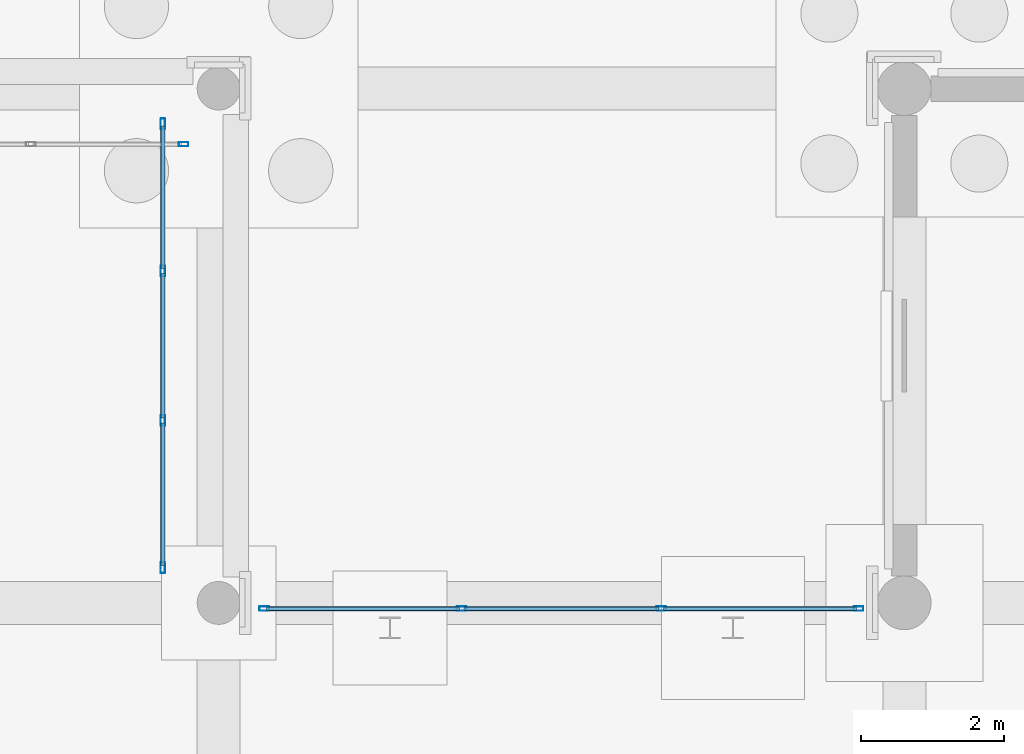
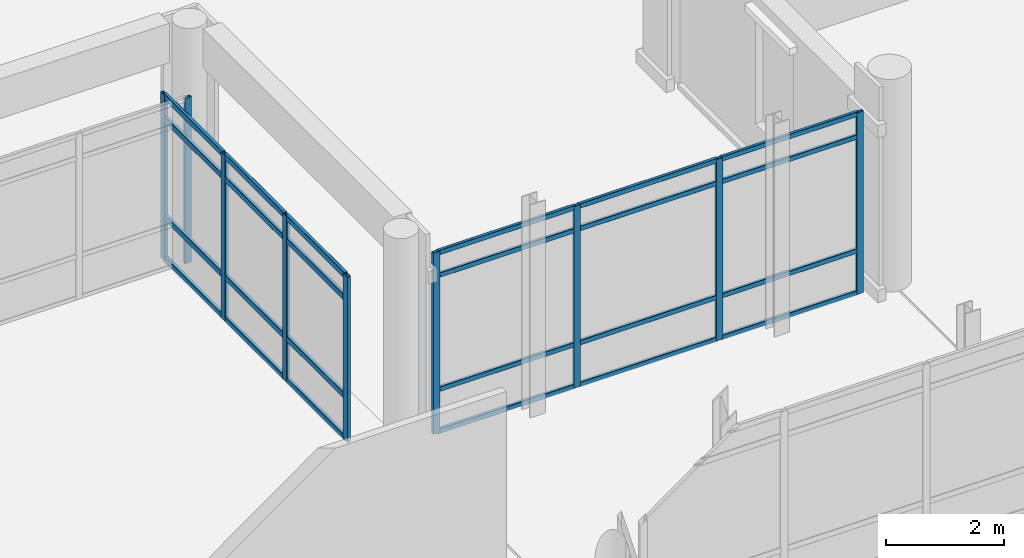
# One storey, part 83 of 196: 33 members, 3 elements without a shape of their own.
"""IFC4 building model written with IfcOpenShell, lengths in metres."""

from ifc_helpers import new_model, si_unit, direction, frame, origin, origin_2d, place, context, subcontext, project, spatial, hollow_rectangle, extrude, material, layer, layer_set, material_profile, profile_set, type_object, element, aggregate, save


model = new_model("IFC4")

# Units and contexts
model_context = context("Model", 3, precision=1e-05, world=origin(), true_north=direction((0.0, 1.0)))
body_context = subcontext(model_context, "Body", "Model", "MODEL_VIEW")
ifc_project = project(units=[si_unit("LENGTHUNIT", "METRE"), si_unit("AREAUNIT", "SQUARE_METRE"), si_unit("VOLUMEUNIT", "CUBIC_METRE"), si_unit("PLANEANGLEUNIT", "RADIAN"), si_unit("MASSUNIT", "GRAM", prefix="KILO")], contexts=[model_context])

# Site, building, storey
site_placement = place(None, origin())
site = spatial("IfcSite", under=ifc_project, at=site_placement, CompositionType="ELEMENT")
building_placement = place(site_placement, origin())
building = spatial("IfcBuilding", under=site, at=building_placement, Name="Asteropetra Specialist Clinic", CompositionType="ELEMENT")
storey_placement = place(building_placement, origin())
storey = spatial("IfcBuildingStorey", under=building, at=storey_placement, Name="L00", CompositionType="ELEMENT", Elevation=0.0)

# Curtain wall, members
ifc_material_1 = material(Name="Aluminium and low-E glass", Category="aluminium")
ifc_layer_1 = layer(ifc_material_1, 0.179931640625)
ifc_layer_set_1 = layer_set([ifc_layer_1], Name="Aluminium and low-E glass")
curtain_wall_type_1 = type_object("IfcCurtainWallType", Name="CW-SYS-04", PredefinedType="USERDEFINED", material=ifc_layer_set_1)
curtain_wall_1_placement = place(storey_placement, origin())
curtain_wall_1 = element("IfcCurtainWall", 1, at=curtain_wall_1_placement, inside=storey, type_object=curtain_wall_type_1, Name="Curtain Wall CW-116", ObjectType="UNITISED CURTAIN WALL", PredefinedType="USERDEFINED")
ifc_material_2 = material(Name="Aluminium 6063-T6", Category="aluminium")
ifc_material_profile_1 = material_profile(ifc_material_2, hollow_rectangle(XDim=0.06005859375, YDim=0.135009765625, WallThickness=0.00341796875, InnerFilletRadius=0.00341796875, OuterFilletRadius=0.007080078125, at=origin_2d()), Name="MUL 135x60x3.5")
ifc_profile_set_1 = profile_set([ifc_material_profile_1], Name="Aluminium 6063-T6")
member_type_1 = type_object("IfcMemberType", Name="CWM-135x60", PredefinedType="MULLION", material=ifc_profile_set_1)
member_1_placement = place(storey_placement, frame((104.9599609375, 55.1201171875, 0.0), z_axis=(0.0, 0.0, 1.0), x_axis=(0.0, -1.0, 0.0)))
member_1 = element("IfcMember", 2, at=member_1_placement, type_object=member_type_1, Name="CW-116 mullion 1", PredefinedType="MULLION", context=body_context, shape_type="SweptSolid", body=[
    extrude(hollow_rectangle(XDim=0.06005859375, YDim=0.135009765625, WallThickness=0.00341796875, InnerFilletRadius=0.00341796875, OuterFilletRadius=0.007080078125, at=origin_2d()), origin(), (0.0, 0.0, 1.0), 3.77001953125),
])
member_2_placement = place(storey_placement, frame((102.19677734375, 55.1201171875, 0.0), z_axis=(0.0, 0.0, 1.0), x_axis=(0.0, -1.0, 0.0)))
member_2 = element("IfcMember", 3, at=member_2_placement, type_object=member_type_1, Name="CW-116 mullion 2", PredefinedType="MULLION", context=body_context, shape_type="SweptSolid", body=[
    extrude(hollow_rectangle(XDim=0.06005859375, YDim=0.135009765625, WallThickness=0.00341796875, InnerFilletRadius=0.00341796875, OuterFilletRadius=0.007080078125, at=origin_2d()), origin(), (0.0, 0.0, 1.0), 3.77001953125),
])
member_3_placement = place(storey_placement, frame((99.4033203125, 55.1201171875, 0.0), z_axis=(0.0, 0.0, 1.0), x_axis=(0.0, -1.0, 0.0)))
member_3 = element("IfcMember", 4, at=member_3_placement, type_object=member_type_1, Name="CW-116 mullion 3", PredefinedType="MULLION", context=body_context, shape_type="SweptSolid", body=[
    extrude(hollow_rectangle(XDim=0.06005859375, YDim=0.135009765625, WallThickness=0.00341796875, InnerFilletRadius=0.00341796875, OuterFilletRadius=0.007080078125, at=origin_2d()), origin(), (0.0, 0.0, 1.0), 3.77001953125),
])
member_4_placement = place(storey_placement, frame((96.639892578125, 55.1201171875, 0.0), z_axis=(0.0, 0.0, 1.0), x_axis=(0.0, -1.0, 0.0)))
member_4 = element("IfcMember", 5, at=member_4_placement, type_object=member_type_1, Name="CW-116 mullion 4", PredefinedType="MULLION", context=body_context, shape_type="SweptSolid", body=[
    extrude(hollow_rectangle(XDim=0.06005859375, YDim=0.135009765625, WallThickness=0.00341796875, InnerFilletRadius=0.00341796875, OuterFilletRadius=0.007080078125, at=origin_2d()), origin(), (0.0, 0.0, 1.0), 3.77001953125),
])

# Curtain wall, member
ifc_material_3 = material(Name="Aluminium and low-E glass", Category="aluminium")
ifc_layer_2 = layer(ifc_material_3, 0.14990234375)
ifc_layer_set_2 = layer_set([ifc_layer_2], Name="Aluminium and low-E glass")
curtain_wall_type_2 = type_object("IfcCurtainWallType", Name="CW-SYS-11", PredefinedType="USERDEFINED", material=ifc_layer_set_2)
curtain_wall_2_placement = place(storey_placement, origin())
curtain_wall_2 = element("IfcCurtainWall", 6, at=curtain_wall_2_placement, inside=storey, type_object=curtain_wall_type_2, Name="Curtain Wall CW-167", ObjectType="STICK GLAZED COLONNADE", PredefinedType="USERDEFINED")
member_5_placement = place(storey_placement, frame((95.510009765625, 61.6201171875, 0.0), z_axis=(0.0, 0.0, 1.0), x_axis=(0.0, -1.0, 0.0)))
member_5 = element("IfcMember", 7, at=member_5_placement, type_object=member_type_1, Name="CW-167 mullion 1", PredefinedType="MULLION", context=body_context, shape_type="SweptSolid", body=[
    extrude(hollow_rectangle(XDim=0.06005859375, YDim=0.135009765625, WallThickness=0.00341796875, InnerFilletRadius=0.00341796875, OuterFilletRadius=0.007080078125, at=origin_2d()), origin(), (0.0, 0.0, 1.0), 3.43994140625),
])
aggregate(curtain_wall_2, [member_5])

# Curtain wall, members
ifc_material_4 = material(Name="Aluminium and low-E glass", Category="aluminium")
ifc_layer_3 = layer(ifc_material_4, 0.179931640625)
ifc_layer_set_3 = layer_set([ifc_layer_3], Name="Aluminium and low-E glass")
curtain_wall_type_3 = type_object("IfcCurtainWallType", Name="CW-SYS-01", PredefinedType="USERDEFINED", material=ifc_layer_set_3)
curtain_wall_3_placement = place(storey_placement, origin())
curtain_wall_3 = element("IfcCurtainWall", 8, at=curtain_wall_3_placement, inside=storey, type_object=curtain_wall_type_3, Name="Curtain Wall CW-172", ObjectType="UNITISED CURTAIN WALL", PredefinedType="USERDEFINED")
ifc_material_5 = material(Name="Aluminium 6063-T6", Category="aluminium")
ifc_material_profile_2 = material_profile(ifc_material_5, hollow_rectangle(XDim=0.06494140625, YDim=0.14990234375, WallThickness=0.00390625, InnerFilletRadius=0.00390625, OuterFilletRadius=0.008056640625, at=origin_2d()), Name="MUL 150x65x4.0")
ifc_profile_set_2 = profile_set([ifc_material_profile_2], Name="Aluminium 6063-T6")
member_type_2 = type_object("IfcMemberType", Name="CWM-150x65", PredefinedType="MULLION", material=ifc_profile_set_2)
member_6_placement = place(storey_placement, frame((95.219970703125, 55.6923828125, 0.0), z_axis=(0.0, 0.0, 1.0), x_axis=(-1.0, 0.0, 0.0)))
member_6 = element("IfcMember", 9, at=member_6_placement, type_object=member_type_2, Name="CW-172 mullion 1", PredefinedType="MULLION", context=body_context, shape_type="SweptSolid", body=[
    extrude(hollow_rectangle(XDim=0.06494140625, YDim=0.14990234375, WallThickness=0.00390625, InnerFilletRadius=0.00390625, OuterFilletRadius=0.008056640625, at=origin_2d()), origin(), (0.0, 0.0, 1.0), 3.43994140625),
])
member_7_placement = place(storey_placement, frame((95.219970703125, 57.75341796875, 0.0), z_axis=(0.0, 0.0, 1.0), x_axis=(-1.0, 0.0, 0.0)))
member_7 = element("IfcMember", 10, at=member_7_placement, type_object=member_type_2, Name="CW-172 mullion 2", PredefinedType="MULLION", context=body_context, shape_type="SweptSolid", body=[
    extrude(hollow_rectangle(XDim=0.06494140625, YDim=0.14990234375, WallThickness=0.00390625, InnerFilletRadius=0.00390625, OuterFilletRadius=0.008056640625, at=origin_2d()), origin(), (0.0, 0.0, 1.0), 3.43994140625),
])
member_8_placement = place(storey_placement, frame((95.219970703125, 59.8466796875, 0.0), z_axis=(0.0, 0.0, 1.0), x_axis=(-1.0, 0.0, 0.0)))
member_8 = element("IfcMember", 11, at=member_8_placement, type_object=member_type_2, Name="CW-172 mullion 3", PredefinedType="MULLION", context=body_context, shape_type="SweptSolid", body=[
    extrude(hollow_rectangle(XDim=0.06494140625, YDim=0.14990234375, WallThickness=0.00390625, InnerFilletRadius=0.00390625, OuterFilletRadius=0.008056640625, at=origin_2d()), origin(), (0.0, 0.0, 1.0), 3.43994140625),
])
member_9_placement = place(storey_placement, frame((95.219970703125, 61.907470703125, 0.0), z_axis=(0.0, 0.0, 1.0), x_axis=(-1.0, 0.0, 0.0)))
member_9 = element("IfcMember", 12, at=member_9_placement, type_object=member_type_2, Name="CW-172 mullion 4", PredefinedType="MULLION", context=body_context, shape_type="SweptSolid", body=[
    extrude(hollow_rectangle(XDim=0.06494140625, YDim=0.14990234375, WallThickness=0.00390625, InnerFilletRadius=0.00390625, OuterFilletRadius=0.008056640625, at=origin_2d()), origin(), (0.0, 0.0, 1.0), 3.43994140625),
])

# Member
ifc_material_6 = material(Name="Aluminium 6063-T6", Category="aluminium")
ifc_material_profile_3 = material_profile(ifc_material_6, hollow_rectangle(XDim=0.06005859375, YDim=0.10009765625, WallThickness=0.00341796875, InnerFilletRadius=0.00341796875, OuterFilletRadius=0.007080078125, at=origin_2d()), Name="TRN 100x60x3.5")
ifc_profile_set_3 = profile_set([ifc_material_profile_3], Name="Aluminium 6063-T6")
member_type_3 = type_object("IfcMemberType", Name="CWT-100x60", PredefinedType="USERDEFINED", material=ifc_profile_set_3)
member_10_placement = place(storey_placement, frame((104.929931640625, 55.1201171875, 0.030029296875), z_axis=(-1.0, 0.0, 0.0), x_axis=(0.0, -1.0, 0.0)))
member_10 = element("IfcMember", 13, at=member_10_placement, type_object=member_type_3, Name="CW-116 transom 1.1", ObjectType="TRANSOM", PredefinedType="USERDEFINED", context=body_context, shape_type="SweptSolid", body=[
    extrude(hollow_rectangle(XDim=0.06005859375, YDim=0.10009765625, WallThickness=0.00341796875, InnerFilletRadius=0.00341796875, OuterFilletRadius=0.007080078125, at=origin_2d()), origin(), (0.0, 0.0, 1.0), 2.703369140625),
])

member_11_placement = place(storey_placement, frame((104.929931640625, 55.1201171875, 0.89990234375), z_axis=(-1.0, 0.0, 0.0), x_axis=(0.0, -1.0, 0.0)))
member_11 = element("IfcMember", 14, at=member_11_placement, type_object=member_type_3, Name="CW-116 transom 1.2", ObjectType="TRANSOM", PredefinedType="USERDEFINED", context=body_context, shape_type="SweptSolid", body=[
    extrude(hollow_rectangle(XDim=0.06005859375, YDim=0.10009765625, WallThickness=0.00341796875, InnerFilletRadius=0.00341796875, OuterFilletRadius=0.007080078125, at=origin_2d()), origin(), (0.0, 0.0, 1.0), 2.703369140625),
])

member_12_placement = place(storey_placement, frame((104.929931640625, 55.1201171875, 3.27001953125), z_axis=(-1.0, 0.0, 0.0), x_axis=(0.0, -1.0, 0.0)))
member_12 = element("IfcMember", 15, at=member_12_placement, type_object=member_type_3, Name="CW-116 transom 1.3", ObjectType="TRANSOM", PredefinedType="USERDEFINED", context=body_context, shape_type="SweptSolid", body=[
    extrude(hollow_rectangle(XDim=0.06005859375, YDim=0.10009765625, WallThickness=0.00341796875, InnerFilletRadius=0.00341796875, OuterFilletRadius=0.007080078125, at=origin_2d()), origin(), (0.0, 0.0, 1.0), 2.703369140625),
])

member_13_placement = place(storey_placement, frame((104.929931640625, 55.1201171875, 3.739990234375), z_axis=(-1.0, 0.0, 0.0), x_axis=(0.0, -1.0, 0.0)))
member_13 = element("IfcMember", 16, at=member_13_placement, type_object=member_type_3, Name="CW-116 transom 1.4", ObjectType="TRANSOM", PredefinedType="USERDEFINED", context=body_context, shape_type="SweptSolid", body=[
    extrude(hollow_rectangle(XDim=0.06005859375, YDim=0.10009765625, WallThickness=0.00341796875, InnerFilletRadius=0.00341796875, OuterFilletRadius=0.007080078125, at=origin_2d()), origin(), (0.0, 0.0, 1.0), 2.703369140625),
])

member_14_placement = place(storey_placement, frame((102.166748046875, 55.1201171875, 0.030029296875), z_axis=(-1.0, 0.0, 0.0), x_axis=(0.0, -1.0, 0.0)))
member_14 = element("IfcMember", 17, at=member_14_placement, type_object=member_type_3, Name="CW-116 transom 2.1", ObjectType="TRANSOM", PredefinedType="USERDEFINED", context=body_context, shape_type="SweptSolid", body=[
    extrude(hollow_rectangle(XDim=0.06005859375, YDim=0.10009765625, WallThickness=0.00341796875, InnerFilletRadius=0.00341796875, OuterFilletRadius=0.007080078125, at=origin_2d()), origin(), (0.0, 0.0, 1.0), 2.7333984375),
])

member_15_placement = place(storey_placement, frame((102.166748046875, 55.1201171875, 0.89990234375), z_axis=(-1.0, 0.0, 0.0), x_axis=(0.0, -1.0, 0.0)))
member_15 = element("IfcMember", 18, at=member_15_placement, type_object=member_type_3, Name="CW-116 transom 2.2", ObjectType="TRANSOM", PredefinedType="USERDEFINED", context=body_context, shape_type="SweptSolid", body=[
    extrude(hollow_rectangle(XDim=0.06005859375, YDim=0.10009765625, WallThickness=0.00341796875, InnerFilletRadius=0.00341796875, OuterFilletRadius=0.007080078125, at=origin_2d()), origin(), (0.0, 0.0, 1.0), 2.7333984375),
])

member_16_placement = place(storey_placement, frame((102.166748046875, 55.1201171875, 3.27001953125), z_axis=(-1.0, 0.0, 0.0), x_axis=(0.0, -1.0, 0.0)))
member_16 = element("IfcMember", 19, at=member_16_placement, type_object=member_type_3, Name="CW-116 transom 2.3", ObjectType="TRANSOM", PredefinedType="USERDEFINED", context=body_context, shape_type="SweptSolid", body=[
    extrude(hollow_rectangle(XDim=0.06005859375, YDim=0.10009765625, WallThickness=0.00341796875, InnerFilletRadius=0.00341796875, OuterFilletRadius=0.007080078125, at=origin_2d()), origin(), (0.0, 0.0, 1.0), 2.7333984375),
])

member_17_placement = place(storey_placement, frame((102.166748046875, 55.1201171875, 3.739990234375), z_axis=(-1.0, 0.0, 0.0), x_axis=(0.0, -1.0, 0.0)))
member_17 = element("IfcMember", 20, at=member_17_placement, type_object=member_type_3, Name="CW-116 transom 2.4", ObjectType="TRANSOM", PredefinedType="USERDEFINED", context=body_context, shape_type="SweptSolid", body=[
    extrude(hollow_rectangle(XDim=0.06005859375, YDim=0.10009765625, WallThickness=0.00341796875, InnerFilletRadius=0.00341796875, OuterFilletRadius=0.007080078125, at=origin_2d()), origin(), (0.0, 0.0, 1.0), 2.7333984375),
])

member_18_placement = place(storey_placement, frame((99.373291015625, 55.1201171875, 0.030029296875), z_axis=(-1.0, 0.0, 0.0), x_axis=(0.0, -1.0, 0.0)))
member_18 = element("IfcMember", 21, at=member_18_placement, type_object=member_type_3, Name="CW-116 transom 3.1", ObjectType="TRANSOM", PredefinedType="USERDEFINED", context=body_context, shape_type="SweptSolid", body=[
    extrude(hollow_rectangle(XDim=0.06005859375, YDim=0.10009765625, WallThickness=0.00341796875, InnerFilletRadius=0.00341796875, OuterFilletRadius=0.007080078125, at=origin_2d()), origin(), (0.0, 0.0, 1.0), 2.703369140625),
])

member_19_placement = place(storey_placement, frame((99.373291015625, 55.1201171875, 0.89990234375), z_axis=(-1.0, 0.0, 0.0), x_axis=(0.0, -1.0, 0.0)))
member_19 = element("IfcMember", 22, at=member_19_placement, type_object=member_type_3, Name="CW-116 transom 3.2", ObjectType="TRANSOM", PredefinedType="USERDEFINED", context=body_context, shape_type="SweptSolid", body=[
    extrude(hollow_rectangle(XDim=0.06005859375, YDim=0.10009765625, WallThickness=0.00341796875, InnerFilletRadius=0.00341796875, OuterFilletRadius=0.007080078125, at=origin_2d()), origin(), (0.0, 0.0, 1.0), 2.703369140625),
])

member_20_placement = place(storey_placement, frame((99.373291015625, 55.1201171875, 3.27001953125), z_axis=(-1.0, 0.0, 0.0), x_axis=(0.0, -1.0, 0.0)))
member_20 = element("IfcMember", 23, at=member_20_placement, type_object=member_type_3, Name="CW-116 transom 3.3", ObjectType="TRANSOM", PredefinedType="USERDEFINED", context=body_context, shape_type="SweptSolid", body=[
    extrude(hollow_rectangle(XDim=0.06005859375, YDim=0.10009765625, WallThickness=0.00341796875, InnerFilletRadius=0.00341796875, OuterFilletRadius=0.007080078125, at=origin_2d()), origin(), (0.0, 0.0, 1.0), 2.703369140625),
])

member_21_placement = place(storey_placement, frame((99.373291015625, 55.1201171875, 3.739990234375), z_axis=(-1.0, 0.0, 0.0), x_axis=(0.0, -1.0, 0.0)))
member_21 = element("IfcMember", 24, at=member_21_placement, type_object=member_type_3, Name="CW-116 transom 3.4", ObjectType="TRANSOM", PredefinedType="USERDEFINED", context=body_context, shape_type="SweptSolid", body=[
    extrude(hollow_rectangle(XDim=0.06005859375, YDim=0.10009765625, WallThickness=0.00341796875, InnerFilletRadius=0.00341796875, OuterFilletRadius=0.007080078125, at=origin_2d()), origin(), (0.0, 0.0, 1.0), 2.703369140625),
])

aggregate(curtain_wall_1, [member_1, member_2, member_3, member_4, member_10, member_11, member_12, member_13, member_14, member_15, member_16, member_17, member_18, member_19, member_20, member_21])

ifc_material_7 = material(Name="Aluminium 6063-T6", Category="aluminium")
ifc_material_profile_4 = material_profile(ifc_material_7, hollow_rectangle(XDim=0.06494140625, YDim=0.1201171875, WallThickness=0.00390625, InnerFilletRadius=0.00390625, OuterFilletRadius=0.008056640625, at=origin_2d()), Name="TRN 120x65x4.0")
ifc_profile_set_4 = profile_set([ifc_material_profile_4], Name="Aluminium 6063-T6")
member_type_4 = type_object("IfcMemberType", Name="CWT-120x65", PredefinedType="USERDEFINED", material=ifc_profile_set_4)
member_22_placement = place(storey_placement, frame((95.219970703125, 55.72509765625, 0.032470703125), z_axis=(0.0, 1.0, 0.0), x_axis=(-1.0, 0.0, 0.0)))
member_22 = element("IfcMember", 25, at=member_22_placement, type_object=member_type_4, Name="CW-172 transom 1.1", ObjectType="TRANSOM", PredefinedType="USERDEFINED", context=body_context, shape_type="SweptSolid", body=[
    extrude(hollow_rectangle(XDim=0.06494140625, YDim=0.1201171875, WallThickness=0.00390625, InnerFilletRadius=0.00390625, OuterFilletRadius=0.008056640625, at=origin_2d()), origin(), (0.0, 0.0, 1.0), 1.995849609375),
])

member_23_placement = place(storey_placement, frame((95.219970703125, 55.72509765625, 0.89990234375), z_axis=(0.0, 1.0, 0.0), x_axis=(-1.0, 0.0, 0.0)))
member_23 = element("IfcMember", 26, at=member_23_placement, type_object=member_type_4, Name="CW-172 transom 1.2", ObjectType="TRANSOM", PredefinedType="USERDEFINED", context=body_context, shape_type="SweptSolid", body=[
    extrude(hollow_rectangle(XDim=0.06494140625, YDim=0.1201171875, WallThickness=0.00390625, InnerFilletRadius=0.00390625, OuterFilletRadius=0.008056640625, at=origin_2d()), origin(), (0.0, 0.0, 1.0), 1.995849609375),
])

member_24_placement = place(storey_placement, frame((95.219970703125, 55.72509765625, 2.93994140625), z_axis=(0.0, 1.0, 0.0), x_axis=(-1.0, 0.0, 0.0)))
member_24 = element("IfcMember", 27, at=member_24_placement, type_object=member_type_4, Name="CW-172 transom 1.3", ObjectType="TRANSOM", PredefinedType="USERDEFINED", context=body_context, shape_type="SweptSolid", body=[
    extrude(hollow_rectangle(XDim=0.06494140625, YDim=0.1201171875, WallThickness=0.00390625, InnerFilletRadius=0.00390625, OuterFilletRadius=0.008056640625, at=origin_2d()), origin(), (0.0, 0.0, 1.0), 1.995849609375),
])

member_25_placement = place(storey_placement, frame((95.219970703125, 55.72509765625, 3.407470703125), z_axis=(0.0, 1.0, 0.0), x_axis=(-1.0, 0.0, 0.0)))
member_25 = element("IfcMember", 28, at=member_25_placement, type_object=member_type_4, Name="CW-172 transom 1.4", ObjectType="TRANSOM", PredefinedType="USERDEFINED", context=body_context, shape_type="SweptSolid", body=[
    extrude(hollow_rectangle(XDim=0.06494140625, YDim=0.1201171875, WallThickness=0.00390625, InnerFilletRadius=0.00390625, OuterFilletRadius=0.008056640625, at=origin_2d()), origin(), (0.0, 0.0, 1.0), 1.995849609375),
])

member_26_placement = place(storey_placement, frame((95.219970703125, 57.785888671875, 0.032470703125), z_axis=(0.0, 1.0, 0.0), x_axis=(-1.0, 0.0, 0.0)))
member_26 = element("IfcMember", 29, at=member_26_placement, type_object=member_type_4, Name="CW-172 transom 2.1", ObjectType="TRANSOM", PredefinedType="USERDEFINED", context=body_context, shape_type="SweptSolid", body=[
    extrude(hollow_rectangle(XDim=0.06494140625, YDim=0.1201171875, WallThickness=0.00390625, InnerFilletRadius=0.00390625, OuterFilletRadius=0.008056640625, at=origin_2d()), origin(), (0.0, 0.0, 1.0), 2.0283203125),
])

member_27_placement = place(storey_placement, frame((95.219970703125, 57.785888671875, 0.89990234375), z_axis=(0.0, 1.0, 0.0), x_axis=(-1.0, 0.0, 0.0)))
member_27 = element("IfcMember", 30, at=member_27_placement, type_object=member_type_4, Name="CW-172 transom 2.2", ObjectType="TRANSOM", PredefinedType="USERDEFINED", context=body_context, shape_type="SweptSolid", body=[
    extrude(hollow_rectangle(XDim=0.06494140625, YDim=0.1201171875, WallThickness=0.00390625, InnerFilletRadius=0.00390625, OuterFilletRadius=0.008056640625, at=origin_2d()), origin(), (0.0, 0.0, 1.0), 2.0283203125),
])

member_28_placement = place(storey_placement, frame((95.219970703125, 57.785888671875, 2.93994140625), z_axis=(0.0, 1.0, 0.0), x_axis=(-1.0, 0.0, 0.0)))
member_28 = element("IfcMember", 31, at=member_28_placement, type_object=member_type_4, Name="CW-172 transom 2.3", ObjectType="TRANSOM", PredefinedType="USERDEFINED", context=body_context, shape_type="SweptSolid", body=[
    extrude(hollow_rectangle(XDim=0.06494140625, YDim=0.1201171875, WallThickness=0.00390625, InnerFilletRadius=0.00390625, OuterFilletRadius=0.008056640625, at=origin_2d()), origin(), (0.0, 0.0, 1.0), 2.0283203125),
])

member_29_placement = place(storey_placement, frame((95.219970703125, 57.785888671875, 3.407470703125), z_axis=(0.0, 1.0, 0.0), x_axis=(-1.0, 0.0, 0.0)))
member_29 = element("IfcMember", 32, at=member_29_placement, type_object=member_type_4, Name="CW-172 transom 2.4", ObjectType="TRANSOM", PredefinedType="USERDEFINED", context=body_context, shape_type="SweptSolid", body=[
    extrude(hollow_rectangle(XDim=0.06494140625, YDim=0.1201171875, WallThickness=0.00390625, InnerFilletRadius=0.00390625, OuterFilletRadius=0.008056640625, at=origin_2d()), origin(), (0.0, 0.0, 1.0), 2.0283203125),
])

member_30_placement = place(storey_placement, frame((95.219970703125, 59.879150390625, 0.032470703125), z_axis=(0.0, 1.0, 0.0), x_axis=(-1.0, 0.0, 0.0)))
member_30 = element("IfcMember", 33, at=member_30_placement, type_object=member_type_4, Name="CW-172 transom 3.1", ObjectType="TRANSOM", PredefinedType="USERDEFINED", context=body_context, shape_type="SweptSolid", body=[
    extrude(hollow_rectangle(XDim=0.06494140625, YDim=0.1201171875, WallThickness=0.00390625, InnerFilletRadius=0.00390625, OuterFilletRadius=0.008056640625, at=origin_2d()), origin(), (0.0, 0.0, 1.0), 1.995849609375),
])

member_31_placement = place(storey_placement, frame((95.219970703125, 59.879150390625, 0.89990234375), z_axis=(0.0, 1.0, 0.0), x_axis=(-1.0, 0.0, 0.0)))
member_31 = element("IfcMember", 34, at=member_31_placement, type_object=member_type_4, Name="CW-172 transom 3.2", ObjectType="TRANSOM", PredefinedType="USERDEFINED", context=body_context, shape_type="SweptSolid", body=[
    extrude(hollow_rectangle(XDim=0.06494140625, YDim=0.1201171875, WallThickness=0.00390625, InnerFilletRadius=0.00390625, OuterFilletRadius=0.008056640625, at=origin_2d()), origin(), (0.0, 0.0, 1.0), 1.995849609375),
])

member_32_placement = place(storey_placement, frame((95.219970703125, 59.879150390625, 2.93994140625), z_axis=(0.0, 1.0, 0.0), x_axis=(-1.0, 0.0, 0.0)))
member_32 = element("IfcMember", 35, at=member_32_placement, type_object=member_type_4, Name="CW-172 transom 3.3", ObjectType="TRANSOM", PredefinedType="USERDEFINED", context=body_context, shape_type="SweptSolid", body=[
    extrude(hollow_rectangle(XDim=0.06494140625, YDim=0.1201171875, WallThickness=0.00390625, InnerFilletRadius=0.00390625, OuterFilletRadius=0.008056640625, at=origin_2d()), origin(), (0.0, 0.0, 1.0), 1.995849609375),
])

member_33_placement = place(storey_placement, frame((95.219970703125, 59.879150390625, 3.407470703125), z_axis=(0.0, 1.0, 0.0), x_axis=(-1.0, 0.0, 0.0)))
member_33 = element("IfcMember", 36, at=member_33_placement, type_object=member_type_4, Name="CW-172 transom 3.4", ObjectType="TRANSOM", PredefinedType="USERDEFINED", context=body_context, shape_type="SweptSolid", body=[
    extrude(hollow_rectangle(XDim=0.06494140625, YDim=0.1201171875, WallThickness=0.00390625, InnerFilletRadius=0.00390625, OuterFilletRadius=0.008056640625, at=origin_2d()), origin(), (0.0, 0.0, 1.0), 1.995849609375),
])

aggregate(curtain_wall_3, [member_6, member_7, member_8, member_9, member_22, member_23, member_24, member_25, member_26, member_27, member_28, member_29, member_30, member_31, member_32, member_33])

save(model, "model.ifc")
